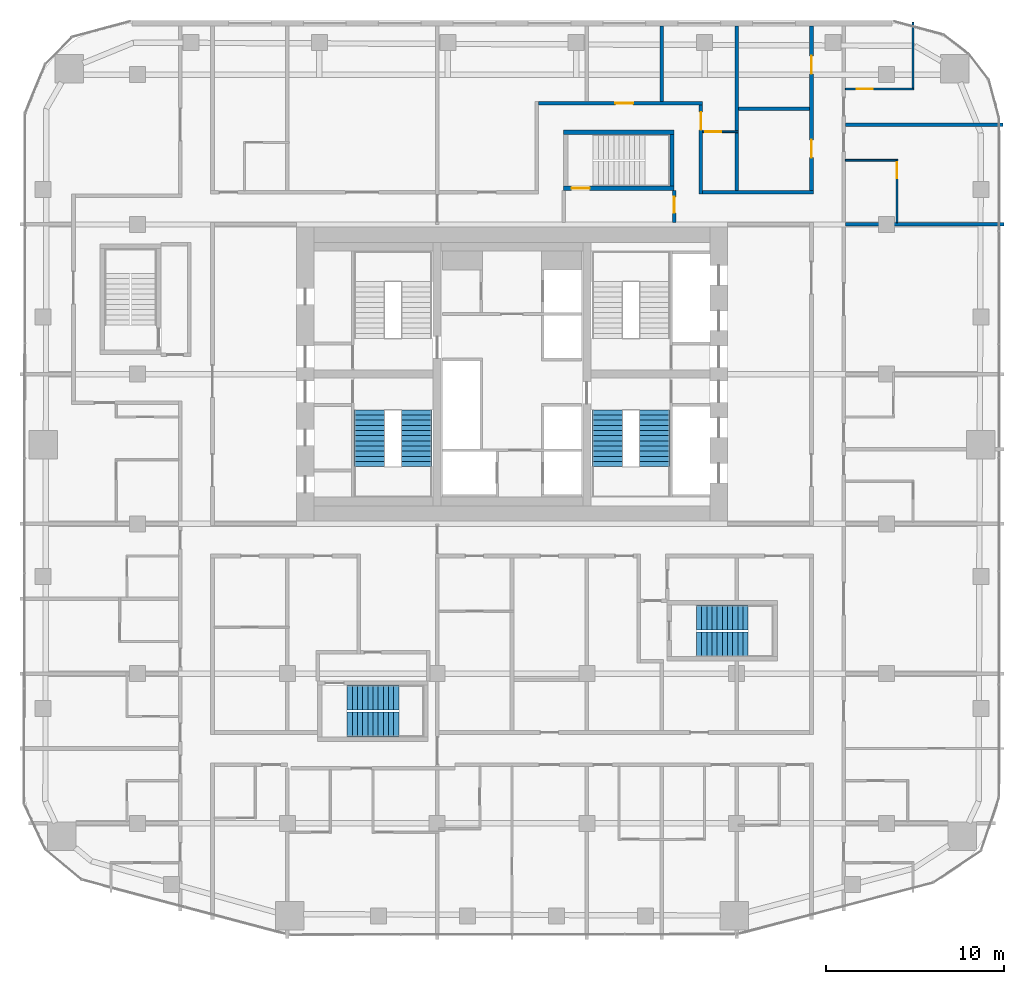
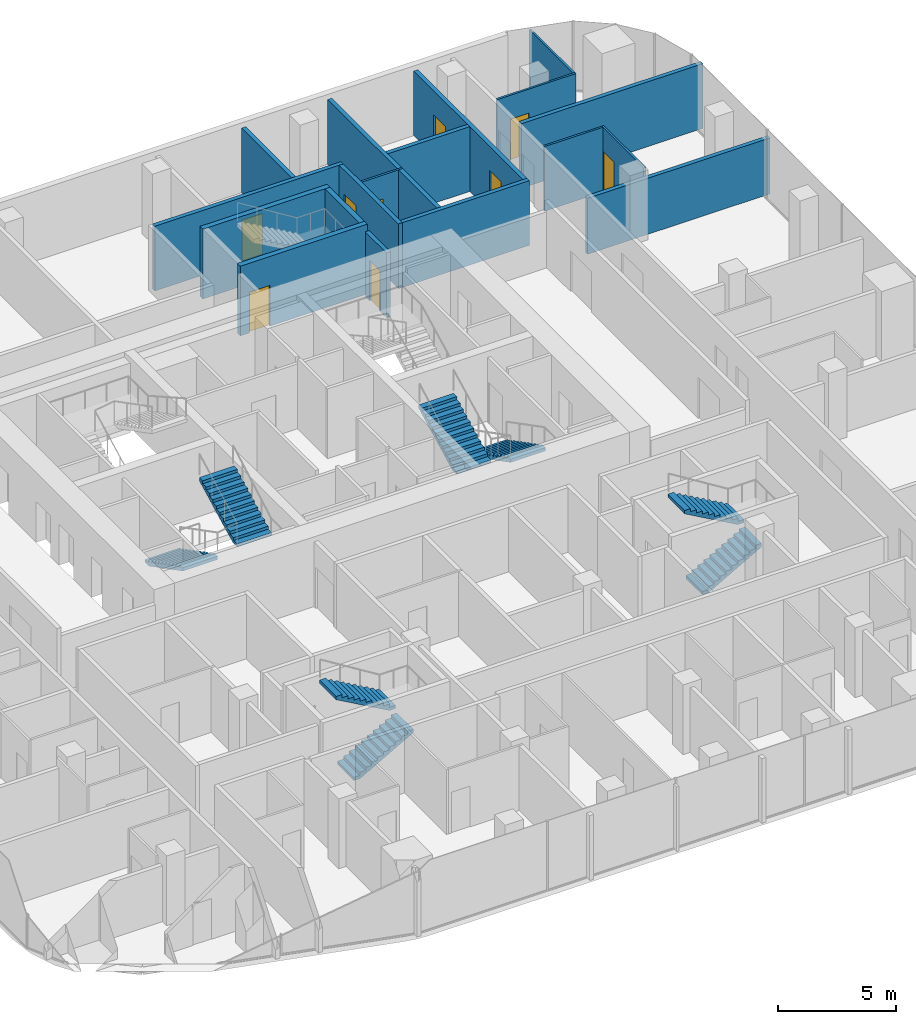
# One storey, part 20 of 23: 18 walls, 9 doors, 8 stair flights, 9 openings, 4 elements without a shape of their own.
"""IFC4 building model written with IfcOpenShell, lengths in metres."""

from ifc_helpers import new_model, si_unit, direction, frame, frame_2d, origin, place, context, subcontext, project, spatial, polyline, rectangle, outline, extrude, material, layer, layer_set, type_object, element, fill, aggregate, save


model = new_model("IFC4")

# Units and contexts
model_context = context("Model", 3, precision=1e-05, world=origin(), true_north=direction((0.0, 1.0)))
body_context = subcontext(model_context, "Body", "Model", "MODEL_VIEW")
ifc_project = project(units=[si_unit("LENGTHUNIT", "METRE"), si_unit("AREAUNIT", "SQUARE_METRE"), si_unit("VOLUMEUNIT", "CUBIC_METRE"), si_unit("PLANEANGLEUNIT", "RADIAN"), si_unit("MASSUNIT", "GRAM", prefix="KILO")], contexts=[model_context])

# Site, building, storey
site_placement = place(None, origin())
site = spatial("IfcSite", under=ifc_project, at=site_placement, CompositionType="ELEMENT")
building_placement = place(site_placement, origin())
building = spatial("IfcBuilding", under=site, at=building_placement, Name="Marenta Gate Hotel Tower", CompositionType="ELEMENT")
storey_placement = place(building_placement, frame((0.0, 0.0, 155.300048828125)))
storey = spatial("IfcBuildingStorey", under=building, at=storey_placement, Name="L36", CompositionType="ELEMENT", Elevation=155.300048828125)

# Wall, opening, door
ifc_material_1 = material(Name="Concrete C40", Category="concrete")
ifc_layer_1 = layer(ifc_material_1, 0.25)
ifc_layer_set_1 = layer_set([ifc_layer_1], Name="Concrete C40")
wall_type_1 = type_object("IfcWallType", Name="Remote stair enclosure wall 250 REI 180", PredefinedType="SHEAR", material=ifc_layer_set_1)
wall_1_placement = place(storey_placement, frame((2.89990234375, 18.824951171875, 0.099853515625), z_axis=(0.0, 0.0, 1.0), x_axis=(1.0, 0.0, 0.0)))
wall_1 = element("IfcWall", 1, at=wall_1_placement, inside=storey, type_object=wall_type_1, Name="L36-RS-Z2-4-W1", PredefinedType="SHEAR", context=body_context, shape_type="SweptSolid", body=[
    extrude(rectangle(XDim=6.2001953125, YDim=0.25, at=frame_2d((3.10009765625, 0.0))), origin(), (0.0, 0.0, 1.0), 3.60009765625),
])
opening_1_placement = place(wall_1_placement, frame((0.449951171875, 0.0, 0.0)))
opening_1 = element("IfcOpeningElement", 2, at=opening_1_placement, cuts=wall_1, Name="Opening VD", PredefinedType="OPENING", context=body_context, shape_type="SweptSolid", body=[
    extrude(rectangle(XDim=1.0, YDim=2.10009765625, at=frame_2d((0.5, 1.050048828125))), frame((0.0, 0.125, 0.0), z_axis=(0.0, -1.0, 0.0), x_axis=(1.0, 0.0, 0.0)), (0.0, 0.0, 1.0), 0.25),
])
ifc_material_2 = material(Name="Steel", Category="steel")
door_type_1 = type_object("IfcDoorType", Name="Stair vestibule door 1000x2100 FD60", OperationType="SINGLE_SWING_LEFT", PredefinedType="DOOR", material=ifc_material_2)
door_1_placement = place(opening_1_placement, origin())
door_1 = element("IfcDoor", 3, at=door_1_placement, inside=storey, type_object=door_type_1, Name="VD", OperationType="SINGLE_SWING_LEFT", OverallHeight=2.10009765625, OverallWidth=1.0, PredefinedType="DOOR", context=body_context, shape_type="SweptSolid", body=[
    extrude(rectangle(XDim=1.0, YDim=2.10009765625, at=frame_2d((0.5, 1.050048828125))), frame((0.0, 0.02490234375, 0.0), z_axis=(0.0, -1.0, 0.0), x_axis=(1.0, 0.0, 0.0)), (0.0, 0.0, 1.0), 0.050048828125),
])
fill(opening_1, door_1)

# Walls
wall_2_placement = place(storey_placement, frame((2.89990234375, 21.97509765625, 0.099853515625), z_axis=(0.0, 0.0, 1.0), x_axis=(1.0, 0.0, 0.0)))
element("IfcWall", 4, at=wall_2_placement, inside=storey, type_object=wall_type_1, Name="L36-RS-Z2-4-W2", PredefinedType="SHEAR", context=body_context, shape_type="SweptSolid", body=[
    extrude(rectangle(XDim=6.2001953125, YDim=0.25, at=frame_2d((3.10009765625, 0.0))), origin(), (0.0, 0.0, 1.0), 3.60009765625),
])
wall_3_placement = place(storey_placement, frame((8.97509765625, 18.949951171875, 0.099853515625), z_axis=(0.0, 0.0, 1.0), x_axis=(0.0, 1.0, 0.0)))
element("IfcWall", 5, at=wall_3_placement, inside=storey, type_object=wall_type_1, Name="L36-RS-Z2-4-W4", PredefinedType="SHEAR", context=body_context, shape_type="SweptSolid", body=[
    extrude(rectangle(XDim=2.900146484375, YDim=0.25, at=frame_2d((1.4501953125, 0.0))), origin(), (0.0, 0.0, 1.0), 3.60009765625),
])

# Wall, openings, doors
ifc_material_3 = material(Name="Gypsum board on steel stud", Category="steel")
ifc_layer_2 = layer(ifc_material_3, 0.199951171875)
ifc_layer_set_2 = layer_set([ifc_layer_2], Name="Gypsum board on steel stud")
wall_type_2 = type_object("IfcWallType", Name="Room corridor wall 200 EI 60", PredefinedType="PARTITIONING", material=ifc_layer_set_2)
wall_4_placement = place(storey_placement, frame((16.800048828125, 18.699951171875, 0.0), z_axis=(0.0, 0.0, 1.0), x_axis=(0.0, 1.0, 0.0)))
wall_4 = element("IfcWall", 6, at=wall_4_placement, inside=storey, type_object=wall_type_2, Name="L36-PTN-W017", PredefinedType="PARTITIONING", context=body_context, shape_type="SweptSolid", body=[
    extrude(rectangle(XDim=9.239990234375, YDim=0.199951171875, at=frame_2d((4.6201171875, 0.0))), origin(), (0.0, 0.0, 1.0), 3.33984375),
])
opening_2_placement = place(wall_4_placement, frame((1.85009765625, 0.0, 0.0)))
opening_2 = element("IfcOpeningElement", 7, at=opening_2_placement, cuts=wall_4, Name="Opening G13-65", PredefinedType="OPENING", context=body_context, shape_type="SweptSolid", body=[
    extrude(rectangle(XDim=1.0, YDim=2.10009765625, at=frame_2d((0.5, 1.050048828125))), frame((0.0, 0.10009765625, 0.0), z_axis=(0.0, -1.0, 0.0), x_axis=(1.0, 0.0, 0.0)), (0.0, 0.0, 1.0), 0.199951171875),
])
opening_3_placement = place(wall_4_placement, frame((6.550048828125, 0.0, 0.0)))
opening_3 = element("IfcOpeningElement", 8, at=opening_3_placement, cuts=wall_4, Name="Opening G13-66", PredefinedType="OPENING", context=body_context, shape_type="SweptSolid", body=[
    extrude(rectangle(XDim=1.0, YDim=2.10009765625, at=frame_2d((0.5, 1.050048828125))), frame((0.0, 0.10009765625, 0.0), z_axis=(0.0, -1.0, 0.0), x_axis=(1.0, 0.0, 0.0)), (0.0, 0.0, 1.0), 0.199951171875),
])
ifc_material_4 = material(Name="Timber door leaf", Category="wood")
door_type_2 = type_object("IfcDoorType", Name="Room amenity door 1000x2100 EI 30", OperationType="NOTDEFINED", PredefinedType="DOOR", material=ifc_material_4)
door_2_placement = place(opening_2_placement, origin())
door_2 = element("IfcDoor", 9, at=door_2_placement, inside=storey, type_object=door_type_2, Name="L36-PD-D065", OperationType="SINGLE_SWING_LEFT", OverallHeight=2.10009765625, OverallWidth=1.0, PredefinedType="DOOR", context=body_context, shape_type="SweptSolid", body=[
    extrude(rectangle(XDim=1.0, YDim=2.10009765625, at=frame_2d((0.5, 1.050048828125))), frame((0.0, 0.02490234375, 0.0), z_axis=(0.0, -1.0, 0.0), x_axis=(1.0, 0.0, 0.0)), (0.0, 0.0, 1.0), 0.050048828125),
])
fill(opening_2, door_2)
door_3_placement = place(opening_3_placement, origin())
door_3 = element("IfcDoor", 10, at=door_3_placement, inside=storey, type_object=door_type_2, Name="L36-PD-D066", OperationType="SINGLE_SWING_LEFT", OverallHeight=2.10009765625, OverallWidth=1.0, PredefinedType="DOOR", context=body_context, shape_type="SweptSolid", body=[
    extrude(rectangle(XDim=1.0, YDim=2.10009765625, at=frame_2d((0.5, 1.050048828125))), frame((0.0, 0.02490234375, 0.0), z_axis=(0.0, -1.0, 0.0), x_axis=(1.0, 0.0, 0.0)), (0.0, 0.0, 1.0), 0.050048828125),
])
fill(opening_3, door_3)

# Wall, opening, door
wall_5_placement = place(storey_placement, frame((10.60009765625, 18.5, 0.0), z_axis=(0.0, 0.0, 1.0), x_axis=(0.0, 1.0, 0.0)))
wall_5 = element("IfcWall", 11, at=wall_5_placement, inside=storey, type_object=wall_type_2, Name="L36-PTN-W037", PredefinedType="PARTITIONING", context=body_context, shape_type="SweptSolid", body=[
    extrude(rectangle(XDim=5.0, YDim=0.199951171875, at=frame_2d((2.5, 0.0))), origin(), (0.0, 0.0, 1.0), 3.33984375),
])
opening_4_placement = place(wall_5_placement, frame((3.60009765625, 0.0, 0.0)))
opening_4 = element("IfcOpeningElement", 12, at=opening_4_placement, cuts=wall_5, Name="Opening G13-27", PredefinedType="OPENING", context=body_context, shape_type="SweptSolid", body=[
    extrude(rectangle(XDim=1.0, YDim=2.10009765625, at=frame_2d((0.5, 1.050048828125))), frame((0.0, 0.10009765625, 0.0), z_axis=(0.0, -1.0, 0.0), x_axis=(1.0, 0.0, 0.0)), (0.0, 0.0, 1.0), 0.199951171875),
])
ifc_material_5 = material(Name="Timber door leaf", Category="wood")
door_type_3 = type_object("IfcDoorType", Name="Guest room door 1000x2100 EI 30", OperationType="NOTDEFINED", PredefinedType="DOOR", material=ifc_material_5)
door_4_placement = place(opening_4_placement, origin())
door_4 = element("IfcDoor", 13, at=door_4_placement, inside=storey, type_object=door_type_3, Name="L36-PD-D027", OperationType="SINGLE_SWING_LEFT", OverallHeight=2.10009765625, OverallWidth=1.0, PredefinedType="DOOR", context=body_context, shape_type="SweptSolid", body=[
    extrude(rectangle(XDim=1.0, YDim=2.10009765625, at=frame_2d((0.5, 1.050048828125))), frame((0.0, 0.02490234375, 0.0), z_axis=(0.0, -1.0, 0.0), x_axis=(1.0, 0.0, 0.0)), (0.0, 0.0, 1.0), 0.050048828125),
])
fill(opening_4, door_4)

# Wall
wall_6_placement = place(storey_placement, frame((10.699951171875, 18.60009765625, 0.0), z_axis=(0.0, 0.0, 1.0), x_axis=(1.0, 0.0, 0.0)))
element("IfcWall", 14, at=wall_6_placement, inside=storey, type_object=wall_type_2, Name="L36-PTN-W104", PredefinedType="PARTITIONING", context=body_context, shape_type="SweptSolid", body=[
    extrude(rectangle(XDim=6.199951171875, YDim=0.199951171875, at=frame_2d((3.10009765625, 0.0))), origin(), (0.0, 0.0, 1.0), 3.33984375),
])

# Wall, opening, door
wall_7_placement = place(storey_placement, frame((1.5, 23.60009765625, 0.0), z_axis=(0.0, 0.0, 1.0), x_axis=(1.0, 0.0, 0.0)))
wall_7 = element("IfcWall", 15, at=wall_7_placement, inside=storey, type_object=wall_type_2, Name="L36-PTN-W117", PredefinedType="PARTITIONING", context=body_context, shape_type="SweptSolid", body=[
    extrude(rectangle(XDim=9.199951171875, YDim=0.199951171875, at=frame_2d((4.60009765625, 0.0))), origin(), (0.0, 0.0, 1.0), 3.33984375),
])
opening_5_placement = place(wall_7_placement, frame((4.300048828125, 0.0, 0.0)))
opening_5 = element("IfcOpeningElement", 16, at=opening_5_placement, cuts=wall_7, Name="Opening G13-26", PredefinedType="OPENING", context=body_context, shape_type="SweptSolid", body=[
    extrude(rectangle(XDim=1.0, YDim=2.10009765625, at=frame_2d((0.5, 1.050048828125))), frame((0.0, 0.10009765625, 0.0), z_axis=(0.0, -1.0, 0.0), x_axis=(1.0, 0.0, 0.0)), (0.0, 0.0, 1.0), 0.199951171875),
])
ifc_material_6 = material(Name="Hollow steel door set", Category="steel")
door_type_4 = type_object("IfcDoorType", Name="Room service door 1000x2100 EI 30", OperationType="NOTDEFINED", PredefinedType="DOOR", material=ifc_material_6)
door_5_placement = place(opening_5_placement, origin())
door_5 = element("IfcDoor", 17, at=door_5_placement, inside=storey, type_object=door_type_4, Name="L36-PD-D026", OperationType="SINGLE_SWING_LEFT", OverallHeight=2.10009765625, OverallWidth=1.0, PredefinedType="DOOR", context=body_context, shape_type="SweptSolid", body=[
    extrude(rectangle(XDim=1.0, YDim=2.10009765625, at=frame_2d((0.5, 1.050048828125))), frame((0.0, 0.02490234375, 0.0), z_axis=(0.0, -1.0, 0.0), x_axis=(1.0, 0.0, 0.0)), (0.0, 0.0, 1.0), 0.050048828125),
])
fill(opening_5, door_5)

ifc_material_7 = material(Name="Concrete blockwork", Category="masonry")
ifc_layer_3 = layer(ifc_material_7, 0.199951171875)
ifc_layer_set_3 = layer_set([ifc_layer_3], Name="Concrete blockwork")
wall_type_3 = type_object("IfcWallType", Name="Room corridor wall 200 REI 180", PredefinedType="PARTITIONING", material=ifc_layer_set_3)
wall_8_placement = place(storey_placement, frame((9.10009765625, 16.89990234375, 0.0), z_axis=(0.0, 0.0, 1.0), x_axis=(0.0, 1.0, 0.0)))
wall_8 = element("IfcWall", 18, at=wall_8_placement, inside=storey, type_object=wall_type_3, Name="L36-PTN-W038", PredefinedType="PARTITIONING", context=body_context, shape_type="SweptSolid", body=[
    extrude(rectangle(XDim=1.800048828125, YDim=0.199951171875, at=frame_2d((0.89990234375, 0.0))), origin(), (0.0, 0.0, 1.0), 3.33984375),
])
opening_6_placement = place(wall_8_placement, frame((0.550048828125, 0.0, 0.0)))
opening_6 = element("IfcOpeningElement", 19, at=opening_6_placement, cuts=wall_8, Name="Opening G13-61", PredefinedType="OPENING", context=body_context, shape_type="SweptSolid", body=[
    extrude(rectangle(XDim=0.89990234375, YDim=2.10009765625, at=frame_2d((0.449951171875, 1.050048828125))), frame((0.0, 0.10009765625, 0.0), z_axis=(0.0, -1.0, 0.0), x_axis=(1.0, 0.0, 0.0)), (0.0, 0.0, 1.0), 0.199951171875),
])
ifc_material_8 = material(Name="Hollow steel door set", Category="steel")
door_type_5 = type_object("IfcDoorType", Name="Stair vestibule door 900x2100 EI 60", OperationType="NOTDEFINED", PredefinedType="DOOR", material=ifc_material_8)
door_6_placement = place(opening_6_placement, origin())
door_6 = element("IfcDoor", 20, at=door_6_placement, inside=storey, type_object=door_type_5, Name="L36-PD-D061", OperationType="SINGLE_SWING_RIGHT", OverallHeight=2.10009765625, OverallWidth=0.89990234375, PredefinedType="DOOR", context=body_context, shape_type="SweptSolid", body=[
    extrude(rectangle(XDim=0.89990234375, YDim=2.10009765625, at=frame_2d((0.449951171875, 1.050048828125))), frame((0.0, 0.02490234375, 0.0), z_axis=(0.0, -1.0, 0.0), x_axis=(1.0, 0.0, 0.0)), (0.0, 0.0, 1.0), 0.050048828125),
])
fill(opening_6, door_6)

# Wall
ifc_material_9 = material(Name="Gypsum board on steel stud", Category="steel")
ifc_layer_4 = layer(ifc_material_9, 0.10009765625)
ifc_layer_set_4 = layer_set([ifc_layer_4], Name="Gypsum board on steel stud")
wall_type_4 = type_object("IfcWallType", Name="Room partition 100", PredefinedType="PARTITIONING", material=ifc_layer_set_4)
wall_9_placement = place(storey_placement, frame((22.5, 24.449951171875, 0.0), z_axis=(0.0, 0.0, 1.0), x_axis=(0.0, 1.0, 0.0)))
element("IfcWall", 21, at=wall_9_placement, inside=storey, type_object=wall_type_4, Name="L36-PTN-W003", PredefinedType="PARTITIONING", context=body_context, shape_type="SweptSolid", body=[
    extrude(rectangle(XDim=3.692138671875, YDim=0.10009765625, at=frame_2d((1.84619140625, 0.0))), origin(), (0.0, 0.0, 1.0), 3.33984375),
])

# Wall, opening, door
wall_10_placement = place(storey_placement, frame((21.60009765625, 16.89990234375, 0.0), z_axis=(0.0, 0.0, 1.0), x_axis=(0.0, 1.0, 0.0)))
wall_10 = element("IfcWall", 22, at=wall_10_placement, inside=storey, type_object=wall_type_4, Name="L36-PTN-W005", PredefinedType="PARTITIONING", context=body_context, shape_type="SweptSolid", body=[
    extrude(rectangle(XDim=3.550048828125, YDim=0.10009765625, at=frame_2d((1.77490234375, 0.0))), origin(), (0.0, 0.0, 1.0), 3.33984375),
])
opening_7_placement = place(wall_10_placement, frame((2.5, 0.0, 0.0)))
opening_7 = element("IfcOpeningElement", 23, at=opening_7_placement, cuts=wall_10, Name="Opening G13-20", PredefinedType="OPENING", context=body_context, shape_type="SweptSolid", body=[
    extrude(rectangle(XDim=0.89990234375, YDim=2.10009765625, at=frame_2d((0.449951171875, 1.050048828125))), frame((0.0, 0.050048828125, 0.0), z_axis=(0.0, -1.0, 0.0), x_axis=(1.0, 0.0, 0.0)), (0.0, 0.0, 1.0), 0.10009765625),
])
ifc_material_10 = material(Name="Timber door leaf", Category="wood")
door_type_6 = type_object("IfcDoorType", Name="Guest bathroom door 900x2100", OperationType="NOTDEFINED", PredefinedType="DOOR", material=ifc_material_10)
door_7_placement = place(opening_7_placement, origin())
door_7 = element("IfcDoor", 24, at=door_7_placement, inside=storey, type_object=door_type_6, Name="L36-PD-D020", OperationType="SINGLE_SWING_RIGHT", OverallHeight=2.10009765625, OverallWidth=0.89990234375, PredefinedType="DOOR", context=body_context, shape_type="SweptSolid", body=[
    extrude(rectangle(XDim=0.89990234375, YDim=2.10009765625, at=frame_2d((0.449951171875, 1.050048828125))), frame((0.0, 0.02490234375, 0.0), z_axis=(0.0, -1.0, 0.0), x_axis=(1.0, 0.0, 0.0)), (0.0, 0.0, 1.0), 0.050048828125),
])
fill(opening_7, door_7)

# Wall
wall_11_placement = place(storey_placement, frame((18.699951171875, 20.39990234375, 0.0), z_axis=(0.0, 0.0, 1.0), x_axis=(1.0, 0.0, 0.0)))
element("IfcWall", 25, at=wall_11_placement, inside=storey, type_object=wall_type_4, Name="L36-PTN-W105", PredefinedType="PARTITIONING", context=body_context, shape_type="SweptSolid", body=[
    extrude(rectangle(XDim=2.85009765625, YDim=0.10009765625, at=frame_2d((1.425048828125, 0.0))), origin(), (0.0, 0.0, 1.0), 3.33984375),
])

# Wall, opening, door
wall_12_placement = place(storey_placement, frame((10.699951171875, 22.0, 0.0), z_axis=(0.0, 0.0, 1.0), x_axis=(1.0, 0.0, 0.0)))
wall_12 = element("IfcWall", 26, at=wall_12_placement, inside=storey, type_object=wall_type_4, Name="L36-PTN-W111", PredefinedType="PARTITIONING", context=body_context, shape_type="SweptSolid", body=[
    extrude(rectangle(XDim=2.0, YDim=0.10009765625, at=frame_2d((1.0, 0.0))), origin(), (0.0, 0.0, 1.0), 3.33984375),
])
opening_8_placement = place(wall_12_placement, frame((0.14990234375, 0.0, 0.0)))
opening_8 = element("IfcOpeningElement", 27, at=opening_8_placement, cuts=wall_12, Name="Opening G13-28", PredefinedType="OPENING", context=body_context, shape_type="SweptSolid", body=[
    extrude(rectangle(XDim=0.89990234375, YDim=2.10009765625, at=frame_2d((0.449951171875, 1.050048828125))), frame((0.0, 0.050048828125, 0.0), z_axis=(0.0, -1.0, 0.0), x_axis=(1.0, 0.0, 0.0)), (0.0, 0.0, 1.0), 0.10009765625),
])
door_8_placement = place(opening_8_placement, origin())
door_8 = element("IfcDoor", 28, at=door_8_placement, inside=storey, type_object=door_type_6, Name="L36-PD-D028", OperationType="SINGLE_SWING_RIGHT", OverallHeight=2.10009765625, OverallWidth=0.89990234375, PredefinedType="DOOR", context=body_context, shape_type="SweptSolid", body=[
    extrude(rectangle(XDim=0.89990234375, YDim=2.10009765625, at=frame_2d((0.449951171875, 1.050048828125))), frame((0.0, 0.02490234375, 0.0), z_axis=(0.0, -1.0, 0.0), x_axis=(1.0, 0.0, 0.0)), (0.0, 0.0, 1.0), 0.050048828125),
])
fill(opening_8, door_8)

wall_13_placement = place(storey_placement, frame((18.699951171875, 24.39990234375, 0.0), z_axis=(0.0, 0.0, 1.0), x_axis=(1.0, 0.0, 0.0)))
wall_13 = element("IfcWall", 29, at=wall_13_placement, inside=storey, type_object=wall_type_4, Name="L36-PTN-W118", PredefinedType="PARTITIONING", context=body_context, shape_type="SweptSolid", body=[
    extrude(rectangle(XDim=3.85009765625, YDim=0.10009765625, at=frame_2d((1.925048828125, 0.0))), origin(), (0.0, 0.0, 1.0), 3.33984375),
])
opening_9_placement = place(wall_13_placement, frame((0.64501953125, 0.0, 0.0)))
opening_9 = element("IfcOpeningElement", 30, at=opening_9_placement, cuts=wall_13, Name="Opening G13-22", PredefinedType="OPENING", context=body_context, shape_type="SweptSolid", body=[
    extrude(rectangle(XDim=0.89990234375, YDim=2.10009765625, at=frame_2d((0.449951171875, 1.050048828125))), frame((0.0, 0.050048828125, 0.0), z_axis=(0.0, -1.0, 0.0), x_axis=(1.0, 0.0, 0.0)), (0.0, 0.0, 1.0), 0.10009765625),
])
door_9_placement = place(opening_9_placement, origin())
door_9 = element("IfcDoor", 31, at=door_9_placement, inside=storey, type_object=door_type_6, Name="L36-PD-D022", OperationType="SINGLE_SWING_RIGHT", OverallHeight=2.10009765625, OverallWidth=0.89990234375, PredefinedType="DOOR", context=body_context, shape_type="SweptSolid", body=[
    extrude(rectangle(XDim=0.89990234375, YDim=2.10009765625, at=frame_2d((0.449951171875, 1.050048828125))), frame((0.0, 0.02490234375, 0.0), z_axis=(0.0, -1.0, 0.0), x_axis=(1.0, 0.0, 0.0)), (0.0, 0.0, 1.0), 0.050048828125),
])
fill(opening_9, door_9)

# Walls
ifc_material_11 = material(Name="Gypsum board on steel stud", Category="steel")
ifc_layer_5 = layer(ifc_material_11, 0.199951171875)
ifc_layer_set_5 = layer_set([ifc_layer_5], Name="Gypsum board on steel stud")
wall_type_5 = type_object("IfcWallType", Name="Room party wall 200 EI 60", PredefinedType="PARTITIONING", material=ifc_layer_set_5)
wall_14_placement = place(storey_placement, frame((12.60009765625, 18.699951171875, 0.0), z_axis=(0.0, 0.0, 1.0), x_axis=(0.0, 1.0, 0.0)))
element("IfcWall", 32, at=wall_14_placement, inside=storey, type_object=wall_type_5, Name="L36-PTN-W030", PredefinedType="PARTITIONING", context=body_context, shape_type="SweptSolid", body=[
    extrude(rectangle(XDim=9.239990234375, YDim=0.199951171875, at=frame_2d((4.6201171875, 0.0))), origin(), (0.0, 0.0, 1.0), 3.33984375),
])
wall_15_placement = place(storey_placement, frame((8.39990234375, 23.699951171875, 0.0), z_axis=(0.0, 0.0, 1.0), x_axis=(0.0, 1.0, 0.0)))
element("IfcWall", 33, at=wall_15_placement, inside=storey, type_object=wall_type_5, Name="L36-PTN-W043", PredefinedType="PARTITIONING", context=body_context, shape_type="SweptSolid", body=[
    extrude(rectangle(XDim=4.239990234375, YDim=0.199951171875, at=frame_2d((2.1201171875, 0.0))), origin(), (0.0, 0.0, 1.0), 3.33984375),
])
wall_16_placement = place(storey_placement, frame((18.699951171875, 16.800048828125, 0.0), z_axis=(0.0, 0.0, 1.0), x_axis=(1.0, 0.0, 0.0)))
element("IfcWall", 34, at=wall_16_placement, inside=storey, type_object=wall_type_5, Name="L36-PTN-W098", PredefinedType="PARTITIONING", context=body_context, shape_type="SweptSolid", body=[
    extrude(rectangle(XDim=8.900146484375, YDim=0.199951171875, at=frame_2d((4.4501953125, 0.0))), origin(), (0.0, 0.0, 1.0), 2.889892578125),
])
wall_17_placement = place(storey_placement, frame((18.699951171875, 22.39990234375, 0.0), z_axis=(0.0, 0.0, 1.0), x_axis=(1.0, 0.0, 0.0)))
element("IfcWall", 35, at=wall_17_placement, inside=storey, type_object=wall_type_5, Name="L36-PTN-W114", PredefinedType="PARTITIONING", context=body_context, shape_type="SweptSolid", body=[
    extrude(rectangle(XDim=8.84716796875, YDim=0.199951171875, at=frame_2d((4.423583984375, 0.0))), origin(), (0.0, 0.0, 1.0), 3.33984375),
])
wall_18_placement = place(storey_placement, frame((12.699951171875, 23.300048828125, 0.0), z_axis=(0.0, 0.0, 1.0), x_axis=(1.0, 0.0, 0.0)))
element("IfcWall", 36, at=wall_18_placement, inside=storey, type_object=wall_type_5, Name="L36-PTN-W116", PredefinedType="PARTITIONING", context=body_context, shape_type="SweptSolid", body=[
    extrude(rectangle(XDim=4.0, YDim=0.199951171875, at=frame_2d((2.0, 0.0))), origin(), (0.0, 0.0, 1.0), 3.33984375),
])

# Stair, stair flights
ifc_material_12 = material(Name="Concrete C40", Category="concrete")
stair_type_1 = type_object("IfcStairType", Name="Core exit stair 1700 wide", PredefinedType="HALF_TURN_STAIR", material=ifc_material_12)
stair_1_placement = place(storey_placement, origin())
stair_1 = element("IfcStair", 37, at=stair_1_placement, inside=storey, type_object=stair_type_1, Name="Exit stair 1", PredefinedType="HALF_TURN_STAIR")
ifc_material_13 = material(Name="Concrete C40", Category="concrete")
stair_flight_type_1 = type_object("IfcStairFlightType", Name="Core stair flight 1700 riser 150.0 going 290", PredefinedType="STRAIGHT", material=ifc_material_13)
stair_flight_1_placement = place(storey_placement, frame((-8.0, 6.39990234375, 0.0), z_axis=(0.0, 0.0, 1.0), x_axis=(0.0, -1.0, 0.0)))
stair_flight_1 = element("IfcStairFlight", 38, at=stair_flight_1_placement, type_object=stair_flight_type_1, Name="ST1 flight 1", NumberOfRisers=12, NumberOfTreads=11, PredefinedType="STRAIGHT", RiserHeight=0.15, TreadLength=0.29, context=body_context, shape_type="SweptSolid", body=[
    extrude(outline(polyline([(0.0, 0.0), (0.0, 0.14990234375), (0.2900390625, 0.14990234375), (0.2900390625, 0.300048828125), (0.580078125, 0.300048828125), (0.580078125, 0.449951171875), (0.8701171875, 0.449951171875), (0.8701171875, 0.60009765625), (1.159912109375, 0.60009765625), (1.159912109375, 0.75), (1.449951171875, 0.75), (1.449951171875, 0.89990234375), (1.739990234375, 0.89990234375), (1.739990234375, 1.050048828125), (2.030029296875, 1.050048828125), (2.030029296875, 1.199951171875), (2.320068359375, 1.199951171875), (2.320068359375, 1.35009765625), (2.610107421875, 1.35009765625), (2.610107421875, 1.5), (2.89990234375, 1.5), (2.89990234375, 1.64990234375), (3.18994140625, 1.64990234375), (3.18994140625, 1.800048828125), (3.18994140625, 1.481201171875), (0.326171875, 0.0), (0.0, 0.0)])), frame((0.0, 0.85009765625, 0.0), z_axis=(0.0, -1.0, 0.0), x_axis=(1.0, 0.0, 0.0)), (0.0, 0.0, 1.0), 1.699951171875),
])
stair_flight_2_placement = place(storey_placement, frame((-5.35009765625, 3.2099609375, 1.800048828125), z_axis=(0.0, 0.0, 1.0), x_axis=(0.0, 1.0, 0.0)))
stair_flight_2 = element("IfcStairFlight", 39, at=stair_flight_2_placement, type_object=stair_flight_type_1, Name="ST1 flight 2", NumberOfRisers=12, NumberOfTreads=11, PredefinedType="STRAIGHT", RiserHeight=0.15, TreadLength=0.29, context=body_context, shape_type="SweptSolid", body=[
    extrude(outline(polyline([(0.0, 0.0), (0.0, 0.14990234375), (0.2900390625, 0.14990234375), (0.2900390625, 0.300048828125), (0.580078125, 0.300048828125), (0.580078125, 0.449951171875), (0.8701171875, 0.449951171875), (0.8701171875, 0.60009765625), (1.159912109375, 0.60009765625), (1.159912109375, 0.75), (1.449951171875, 0.75), (1.449951171875, 0.89990234375), (1.739990234375, 0.89990234375), (1.739990234375, 1.050048828125), (2.030029296875, 1.050048828125), (2.030029296875, 1.199951171875), (2.320068359375, 1.199951171875), (2.320068359375, 1.35009765625), (2.610107421875, 1.35009765625), (2.610107421875, 1.5), (2.89990234375, 1.5), (2.89990234375, 1.64990234375), (3.18994140625, 1.64990234375), (3.18994140625, 1.800048828125), (3.18994140625, 1.481201171875), (0.326171875, 0.0), (0.0, 0.0)])), frame((0.0, 0.85009765625, 0.0), z_axis=(0.0, -1.0, 0.0), x_axis=(1.0, 0.0, 0.0)), (0.0, 0.0, 1.0), 1.699951171875),
])
aggregate(stair_1, [stair_flight_1, stair_flight_2])

stair_2_placement = place(storey_placement, origin())
stair_2 = element("IfcStair", 40, at=stair_2_placement, inside=storey, type_object=stair_type_1, Name="Exit stair 3", PredefinedType="HALF_TURN_STAIR")
stair_flight_3_placement = place(storey_placement, frame((8.0, 6.39990234375, 0.0), z_axis=(0.0, 0.0, 1.0), x_axis=(0.0, -1.0, 0.0)))
stair_flight_3 = element("IfcStairFlight", 41, at=stair_flight_3_placement, type_object=stair_flight_type_1, Name="ST3 flight 1", NumberOfRisers=12, NumberOfTreads=11, PredefinedType="STRAIGHT", RiserHeight=0.15, TreadLength=0.29, context=body_context, shape_type="SweptSolid", body=[
    extrude(outline(polyline([(0.0, 0.0), (0.0, 0.14990234375), (0.2900390625, 0.14990234375), (0.2900390625, 0.300048828125), (0.580078125, 0.300048828125), (0.580078125, 0.449951171875), (0.8701171875, 0.449951171875), (0.8701171875, 0.60009765625), (1.159912109375, 0.60009765625), (1.159912109375, 0.75), (1.449951171875, 0.75), (1.449951171875, 0.89990234375), (1.739990234375, 0.89990234375), (1.739990234375, 1.050048828125), (2.030029296875, 1.050048828125), (2.030029296875, 1.199951171875), (2.320068359375, 1.199951171875), (2.320068359375, 1.35009765625), (2.610107421875, 1.35009765625), (2.610107421875, 1.5), (2.89990234375, 1.5), (2.89990234375, 1.64990234375), (3.18994140625, 1.64990234375), (3.18994140625, 1.800048828125), (3.18994140625, 1.481201171875), (0.326171875, 0.0), (0.0, 0.0)])), frame((0.0, 0.85009765625, 0.0), z_axis=(0.0, -1.0, 0.0), x_axis=(1.0, 0.0, 0.0)), (0.0, 0.0, 1.0), 1.699951171875),
])
stair_flight_4_placement = place(storey_placement, frame((5.35009765625, 3.2099609375, 1.800048828125), z_axis=(0.0, 0.0, 1.0), x_axis=(0.0, 1.0, 0.0)))
stair_flight_4 = element("IfcStairFlight", 42, at=stair_flight_4_placement, type_object=stair_flight_type_1, Name="ST3 flight 2", NumberOfRisers=12, NumberOfTreads=11, PredefinedType="STRAIGHT", RiserHeight=0.15, TreadLength=0.29, context=body_context, shape_type="SweptSolid", body=[
    extrude(outline(polyline([(0.0, 0.0), (0.0, 0.14990234375), (0.2900390625, 0.14990234375), (0.2900390625, 0.300048828125), (0.580078125, 0.300048828125), (0.580078125, 0.449951171875), (0.8701171875, 0.449951171875), (0.8701171875, 0.60009765625), (1.159912109375, 0.60009765625), (1.159912109375, 0.75), (1.449951171875, 0.75), (1.449951171875, 0.89990234375), (1.739990234375, 0.89990234375), (1.739990234375, 1.050048828125), (2.030029296875, 1.050048828125), (2.030029296875, 1.199951171875), (2.320068359375, 1.199951171875), (2.320068359375, 1.35009765625), (2.610107421875, 1.35009765625), (2.610107421875, 1.5), (2.89990234375, 1.5), (2.89990234375, 1.64990234375), (3.18994140625, 1.64990234375), (3.18994140625, 1.800048828125), (3.18994140625, 1.481201171875), (0.326171875, 0.0), (0.0, 0.0)])), frame((0.0, 0.85009765625, 0.0), z_axis=(0.0, -1.0, 0.0), x_axis=(1.0, 0.0, 0.0)), (0.0, 0.0, 1.0), 1.699951171875),
])
aggregate(stair_2, [stair_flight_3, stair_flight_4])

ifc_material_14 = material(Name="Concrete C40", Category="concrete")
stair_type_2 = type_object("IfcStairType", Name="Remote exit stair 1400 wide", PredefinedType="HALF_TURN_STAIR", material=ifc_material_14)
stair_3_placement = place(storey_placement, origin())
stair_3 = element("IfcStair", 43, at=stair_3_placement, inside=storey, type_object=stair_type_2, Name="Exit stair RS-Z2-1", PredefinedType="HALF_TURN_STAIR")
ifc_material_15 = material(Name="Concrete C40", Category="concrete")
stair_flight_type_2 = type_object("IfcStairFlightType", Name="Remote stair flight 1400 riser 163.6 going 290", PredefinedType="STRAIGHT", material=ifc_material_15)
stair_flight_5_placement = place(storey_placement, frame((-9.25, -11.25, 0.0), z_axis=(0.0, 0.0, 1.0), x_axis=(1.0, 0.0, 0.0)))
stair_flight_5 = element("IfcStairFlight", 44, at=stair_flight_5_placement, type_object=stair_flight_type_2, Name="RS-Z2-1 flight 1", NumberOfRisers=11, NumberOfTreads=10, PredefinedType="STRAIGHT", RiserHeight=0.163636, TreadLength=0.29, context=body_context, shape_type="SweptSolid", body=[
    extrude(outline(polyline([(0.0, 0.0), (0.0, 0.16357421875), (0.2900390625, 0.16357421875), (0.2900390625, 0.327392578125), (0.580078125, 0.327392578125), (0.580078125, 0.490966796875), (0.8701171875, 0.490966796875), (0.8701171875, 0.654541015625), (1.159912109375, 0.654541015625), (1.159912109375, 0.818115234375), (1.449951171875, 0.818115234375), (1.449951171875, 0.98193359375), (1.739990234375, 0.98193359375), (1.739990234375, 1.1455078125), (2.030029296875, 1.1455078125), (2.030029296875, 1.30908203125), (2.320068359375, 1.30908203125), (2.320068359375, 1.47265625), (2.610107421875, 1.47265625), (2.610107421875, 1.636474609375), (2.89990234375, 1.636474609375), (2.89990234375, 1.800048828125), (2.89990234375, 1.46435546875), (0.304931640625, 0.0), (0.0, 0.0)])), frame((0.0, 0.699951171875, 0.0), z_axis=(0.0, -1.0, 0.0), x_axis=(1.0, 0.0, 0.0)), (0.0, 0.0, 1.0), 1.39990234375),
])
stair_flight_6_placement = place(storey_placement, frame((-6.35009765625, -9.75, 1.800048828125), z_axis=(0.0, 0.0, 1.0), x_axis=(-1.0, 0.0, 0.0)))
stair_flight_6 = element("IfcStairFlight", 45, at=stair_flight_6_placement, type_object=stair_flight_type_2, Name="RS-Z2-1 flight 2", NumberOfRisers=11, NumberOfTreads=10, PredefinedType="STRAIGHT", RiserHeight=0.163636, TreadLength=0.29, context=body_context, shape_type="SweptSolid", body=[
    extrude(outline(polyline([(0.0, 0.0), (0.0, 0.16357421875), (0.2900390625, 0.16357421875), (0.2900390625, 0.327392578125), (0.580078125, 0.327392578125), (0.580078125, 0.490966796875), (0.8701171875, 0.490966796875), (0.8701171875, 0.654541015625), (1.159912109375, 0.654541015625), (1.159912109375, 0.818115234375), (1.449951171875, 0.818115234375), (1.449951171875, 0.98193359375), (1.739990234375, 0.98193359375), (1.739990234375, 1.1455078125), (2.030029296875, 1.1455078125), (2.030029296875, 1.30908203125), (2.320068359375, 1.30908203125), (2.320068359375, 1.47265625), (2.610107421875, 1.47265625), (2.610107421875, 1.636474609375), (2.89990234375, 1.636474609375), (2.89990234375, 1.800048828125), (2.89990234375, 1.46435546875), (0.304931640625, 0.0), (0.0, 0.0)])), frame((0.0, 0.699951171875, 0.0), z_axis=(0.0, -1.0, 0.0), x_axis=(1.0, 0.0, 0.0)), (0.0, 0.0, 1.0), 1.39990234375),
])
aggregate(stair_3, [stair_flight_5, stair_flight_6])

stair_4_placement = place(storey_placement, origin())
stair_4 = element("IfcStair", 46, at=stair_4_placement, inside=storey, type_object=stair_type_2, Name="Exit stair RS-Z2-2", PredefinedType="HALF_TURN_STAIR")
stair_flight_7_placement = place(storey_placement, frame((10.35009765625, -6.75, 0.0), z_axis=(0.0, 0.0, 1.0), x_axis=(1.0, 0.0, 0.0)))
stair_flight_7 = element("IfcStairFlight", 47, at=stair_flight_7_placement, type_object=stair_flight_type_2, Name="RS-Z2-2 flight 1", NumberOfRisers=11, NumberOfTreads=10, PredefinedType="STRAIGHT", RiserHeight=0.163636, TreadLength=0.29, context=body_context, shape_type="SweptSolid", body=[
    extrude(outline(polyline([(0.0, 0.0), (0.0, 0.16357421875), (0.2900390625, 0.16357421875), (0.2900390625, 0.327392578125), (0.580078125, 0.327392578125), (0.580078125, 0.490966796875), (0.8701171875, 0.490966796875), (0.8701171875, 0.654541015625), (1.159912109375, 0.654541015625), (1.159912109375, 0.818115234375), (1.449951171875, 0.818115234375), (1.449951171875, 0.98193359375), (1.739990234375, 0.98193359375), (1.739990234375, 1.1455078125), (2.030029296875, 1.1455078125), (2.030029296875, 1.30908203125), (2.320068359375, 1.30908203125), (2.320068359375, 1.47265625), (2.610107421875, 1.47265625), (2.610107421875, 1.636474609375), (2.89990234375, 1.636474609375), (2.89990234375, 1.800048828125), (2.89990234375, 1.46435546875), (0.304931640625, 0.0), (0.0, 0.0)])), frame((0.0, 0.699951171875, 0.0), z_axis=(0.0, -1.0, 0.0), x_axis=(1.0, 0.0, 0.0)), (0.0, 0.0, 1.0), 1.39990234375),
])
stair_flight_8_placement = place(storey_placement, frame((13.25, -5.25, 1.800048828125), z_axis=(0.0, 0.0, 1.0), x_axis=(-1.0, 0.0, 0.0)))
stair_flight_8 = element("IfcStairFlight", 48, at=stair_flight_8_placement, type_object=stair_flight_type_2, Name="RS-Z2-2 flight 2", NumberOfRisers=11, NumberOfTreads=10, PredefinedType="STRAIGHT", RiserHeight=0.163636, TreadLength=0.29, context=body_context, shape_type="SweptSolid", body=[
    extrude(outline(polyline([(0.0, 0.0), (0.0, 0.16357421875), (0.2900390625, 0.16357421875), (0.2900390625, 0.327392578125), (0.580078125, 0.327392578125), (0.580078125, 0.490966796875), (0.8701171875, 0.490966796875), (0.8701171875, 0.654541015625), (1.159912109375, 0.654541015625), (1.159912109375, 0.818115234375), (1.449951171875, 0.818115234375), (1.449951171875, 0.98193359375), (1.739990234375, 0.98193359375), (1.739990234375, 1.1455078125), (2.030029296875, 1.1455078125), (2.030029296875, 1.30908203125), (2.320068359375, 1.30908203125), (2.320068359375, 1.47265625), (2.610107421875, 1.47265625), (2.610107421875, 1.636474609375), (2.89990234375, 1.636474609375), (2.89990234375, 1.800048828125), (2.89990234375, 1.46435546875), (0.304931640625, 0.0), (0.0, 0.0)])), frame((0.0, 0.699951171875, 0.0), z_axis=(0.0, -1.0, 0.0), x_axis=(1.0, 0.0, 0.0)), (0.0, 0.0, 1.0), 1.39990234375),
])
aggregate(stair_4, [stair_flight_7, stair_flight_8])

save(model, "model.ifc")
